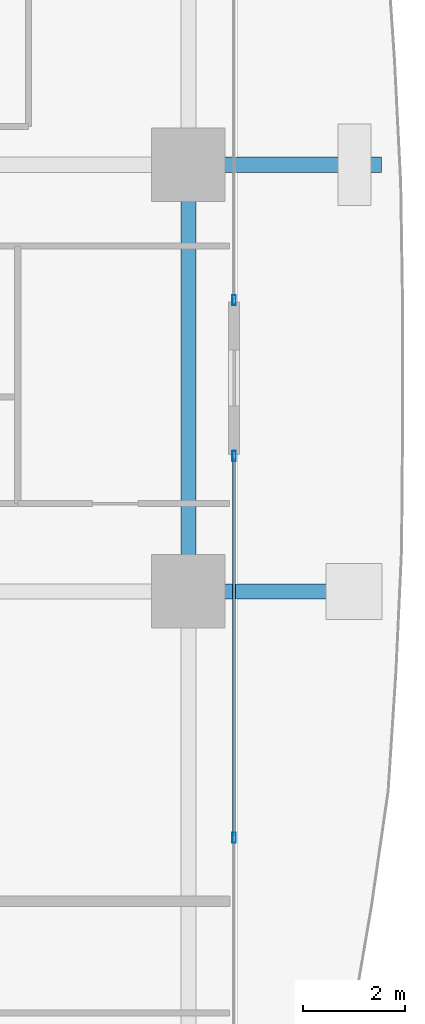
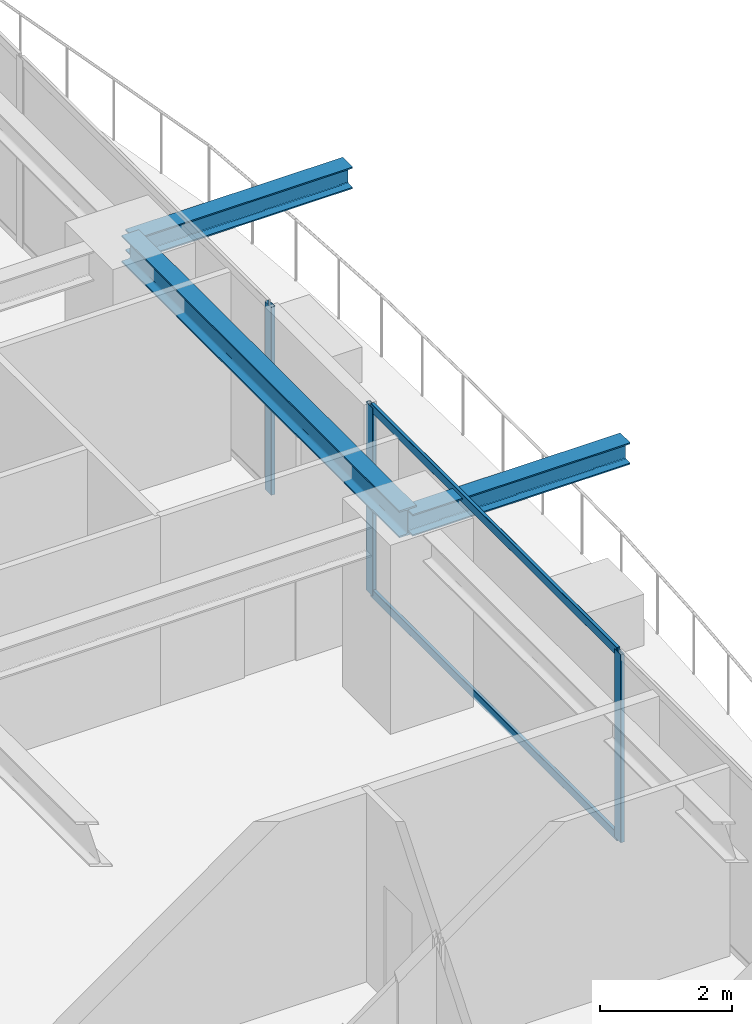
# One storey, part 14 of 37: 5 members, 3 beams, 2 elements without a shape of their own.
"""IFC4 building model written with IfcOpenShell, lengths in metres."""

from ifc_helpers import new_model, si_unit, direction, frame, origin, origin_2d, place, context, subcontext, project, spatial, hollow_rectangle, i_section, extrude, source, transform, mapped, material, layer, layer_set, material_profile, profile_set, type_object, element, aggregate, save


model = new_model("IFC4")

# Units and contexts
model_context = context("Model", 3, precision=1e-05, world=origin(), true_north=direction((0.0, 1.0)))
body_context = subcontext(model_context, "Body", "Model", "MODEL_VIEW")
ifc_project = project(units=[si_unit("LENGTHUNIT", "METRE"), si_unit("AREAUNIT", "SQUARE_METRE"), si_unit("VOLUMEUNIT", "CUBIC_METRE"), si_unit("PLANEANGLEUNIT", "RADIAN"), si_unit("MASSUNIT", "GRAM", prefix="KILO")], contexts=[model_context])

# Site, building, storey
site_placement = place(None, origin())
site = spatial("IfcSite", under=ifc_project, at=site_placement, CompositionType="ELEMENT")
building_placement = place(site_placement, origin())
building = spatial("IfcBuilding", under=site, at=building_placement, Name="Serunith Strait Residences", CompositionType="ELEMENT")
storey_placement = place(building_placement, frame((0.0, 0.0, 26.699951171875)))
storey = spatial("IfcBuildingStorey", under=building, at=storey_placement, Name="L05", CompositionType="ELEMENT", Elevation=26.699951171875)

# Beams
ifc_material_1 = material(Name="Steel S355J2", Category="steel")
ifc_material_profile_1 = material_profile(ifc_material_1, i_section(OverallWidth=0.300048828125, OverallDepth=0.5, WebThickness=0.014404296875, FlangeThickness=0.028076171875, FilletRadius=0.027099609375, at=origin_2d()), Name="HEB 500")
ifc_profile_set_1 = profile_set([ifc_material_profile_1], Name="Steel S355J2")
beam_type_1 = type_object("IfcBeamType", Name="BM-HEB500", PredefinedType="BEAM", material=ifc_profile_set_1)
shared_shape_1 = source(origin(), body_context, "Body", "SweptSolid", [
    extrude(i_section(OverallWidth=0.300048828125, OverallDepth=0.5, WebThickness=0.014404296875, FlangeThickness=0.028076171875, FilletRadius=0.027099609375, at=origin_2d()), origin(), (0.0, 0.0, 1.0), 8.39990234375),
])
beam_placement = place(storey_placement, frame((57.89990234375, 21.0, 3.237060546875), z_axis=(0.0, 1.0, 0.0), x_axis=(-1.0, 0.0, 0.0)))
element("IfcBeam", 1, at=beam_placement, inside=storey, type_object=beam_type_1, Name="L05 Perimeter Ring Beam 06", PredefinedType="BEAM", context=body_context, shape_type="MappedRepresentation", body=[
    mapped(shared_shape_1, transform((0.0, 0.0, 0.0), scale=1.0)),
])
ifc_material_profile_2 = material_profile(ifc_material_1, i_section(OverallWidth=0.300048828125, OverallDepth=0.39990234375, WebThickness=0.013427734375, FlangeThickness=0.02392578125, FilletRadius=0.027099609375, at=origin_2d()), Name="HEB 400")
ifc_profile_set_2 = profile_set([ifc_material_profile_2], Name="Steel S355J2")
beam_type_2 = type_object("IfcBeamType", Name="BM-HEB400", PredefinedType="BEAM", material=ifc_profile_set_2)
shared_shape_2 = source(origin(), body_context, "Body", "SweptSolid", [
    extrude(i_section(OverallWidth=0.300048828125, OverallDepth=0.39990234375, WebThickness=0.013427734375, FlangeThickness=0.02392578125, FilletRadius=0.027099609375, at=origin_2d()), origin(), (0.0, 0.0, 1.0), 3.800048828125),
])
for number, where, z_axis, x_axis, name in (
    (2, (57.89990234375, 21.0, 3.257080078125), (1.0, 0.0, 0.0), (0.0, 1.0, 0.0), "L06 Cantilevered Balcony Rib TC-E2"),
    (3, (57.89990234375, 29.39990234375, 3.257080078125), (1.0, 0.0, 0.0), (0.0, 1.0, 0.0), "L06 Cantilevered Balcony Rib TC-E3"),
):
    element("IfcBeam", number, at=place(storey_placement, frame(where, z_axis=z_axis, x_axis=x_axis)), inside=storey, type_object=beam_type_2, Name=name, PredefinedType="BEAM", context=body_context, shape_type="MappedRepresentation", body=[
        mapped(shared_shape_2, transform((0.0, 0.0, 0.0), scale=1.0)),
    ])

# Curtain wall, members
ifc_material_2 = material(Name="Pale-Champagne Anodised Aluminium", Category="aluminium")
ifc_layer = layer(ifc_material_2, 0.199951171875, Name="Pale-Champagne Anodised Aluminium")
ifc_layer_set = layer_set([ifc_layer], Name="Pale-Champagne Anodised Aluminium")
curtain_wall_type = type_object("IfcCurtainWallType", Name="CW-SYS1", PredefinedType="NOTDEFINED", material=ifc_layer_set)
curtain_wall_1_placement = place(storey_placement, origin())
curtain_wall_1 = element("IfcCurtainWall", 4, at=curtain_wall_1_placement, inside=storey, type_object=curtain_wall_type, Name="L05 E Unitised Fritted Curtain Wall", PredefinedType="NOTDEFINED")
ifc_material_profile_3 = material_profile(ifc_material_2, hollow_rectangle(XDim=0.070068359375, YDim=0.199951171875, WallThickness=0.00390625, InnerFilletRadius=0.006103515625, OuterFilletRadius=0.010009765625, at=origin_2d()), Name="ALU 200x70x4")
ifc_profile_set_3 = profile_set([ifc_material_profile_3], Name="Pale-Champagne Anodised Aluminium")
member_type_1 = type_object("IfcMemberType", Name="CW-SYS1-MULL", PredefinedType="MULLION", material=ifc_profile_set_3)
shared_shape_3 = source(origin(), body_context, "Body", "SweptSolid", [
    extrude(hollow_rectangle(XDim=0.070068359375, YDim=0.199951171875, WallThickness=0.00390625, InnerFilletRadius=0.006103515625, OuterFilletRadius=0.010009765625, at=origin_2d()), origin(), (0.0, 0.0, 1.0), 3.47509765625),
])
member_1_placement = place(storey_placement, frame((58.800048828125, 16.14990234375, 0.0), z_axis=(0.0, 0.0, 1.0), x_axis=(-1.0, 0.0, 0.0)))
member_1 = element("IfcMember", 5, at=member_1_placement, type_object=member_type_1, Name="CW-1 mullion 2", PredefinedType="MULLION", context=body_context, shape_type="MappedRepresentation", body=[
    mapped(shared_shape_3, transform((0.0, 0.0, 0.0), scale=1.0)),
])
member_2_placement = place(storey_placement, frame((58.800048828125, 23.6650390625, 0.0), z_axis=(0.0, 0.0, 1.0), x_axis=(-1.0, 0.0, 0.0)))
member_2 = element("IfcMember", 6, at=member_2_placement, type_object=member_type_1, Name="CW-1 mullion 3", PredefinedType="MULLION", context=body_context, shape_type="MappedRepresentation", body=[
    mapped(shared_shape_3, transform((0.0, 0.0, 0.0), scale=1.0)),
])

# Curtain wall, member
curtain_wall_2_placement = place(storey_placement, origin())
curtain_wall_2 = element("IfcCurtainWall", 7, at=curtain_wall_2_placement, inside=storey, type_object=curtain_wall_type, Name="L05 E Unitised Fritted Curtain Wall", PredefinedType="NOTDEFINED")
member_3_placement = place(storey_placement, frame((58.800048828125, 26.735107421875, 0.0), z_axis=(0.0, 0.0, 1.0), x_axis=(-1.0, 0.0, 0.0)))
member_3 = element("IfcMember", 8, at=member_3_placement, type_object=member_type_1, Name="CW-1 mullion 1", PredefinedType="MULLION", context=body_context, shape_type="MappedRepresentation", body=[
    mapped(shared_shape_3, transform((0.0, 0.0, 0.0), scale=1.0)),
])
aggregate(curtain_wall_2, [member_3])

# Member
ifc_material_profile_4 = material_profile(ifc_material_2, hollow_rectangle(XDim=0.06005859375, YDim=0.159912109375, WallThickness=0.00341796875, InnerFilletRadius=0.00537109375, OuterFilletRadius=0.0087890625, at=origin_2d()), Name="ALU 160x60x3.5")
ifc_profile_set_4 = profile_set([ifc_material_profile_4], Name="Pale-Champagne Anodised Aluminium")
member_type_2 = type_object("IfcMemberType", Name="CW-SYS1-TRAN", PredefinedType="USERDEFINED", material=ifc_profile_set_4)
shared_shape_4 = source(origin(), body_context, "Body", "SweptSolid", [
    extrude(hollow_rectangle(XDim=0.06005859375, YDim=0.159912109375, WallThickness=0.00341796875, InnerFilletRadius=0.00537109375, OuterFilletRadius=0.0087890625, at=origin_2d()), origin(), (0.0, 0.0, 1.0), 7.44482421875),
])
member_4_placement = place(storey_placement, frame((58.800048828125, 16.18505859375, 0.030029296875), z_axis=(0.0, 1.0, 0.0), x_axis=(-1.0, 0.0, 0.0)))
member_4 = element("IfcMember", 9, at=member_4_placement, type_object=member_type_2, Name="CW-1 transom 2.1", ObjectType="TRANSOM", PredefinedType="USERDEFINED", context=body_context, shape_type="MappedRepresentation", body=[
    mapped(shared_shape_4, transform((0.0, 0.0, 0.0), scale=1.0)),
])

member_5_placement = place(storey_placement, frame((58.800048828125, 16.18505859375, 3.445068359375), z_axis=(0.0, 1.0, 0.0), x_axis=(-1.0, 0.0, 0.0)))
member_5 = element("IfcMember", 10, at=member_5_placement, type_object=member_type_2, Name="CW-1 transom 2.2", ObjectType="TRANSOM", PredefinedType="USERDEFINED", context=body_context, shape_type="MappedRepresentation", body=[
    mapped(shared_shape_4, transform((0.0, 0.0, 0.0), scale=1.0)),
])

aggregate(curtain_wall_1, [member_1, member_2, member_4, member_5])

save(model, "model.ifc")
